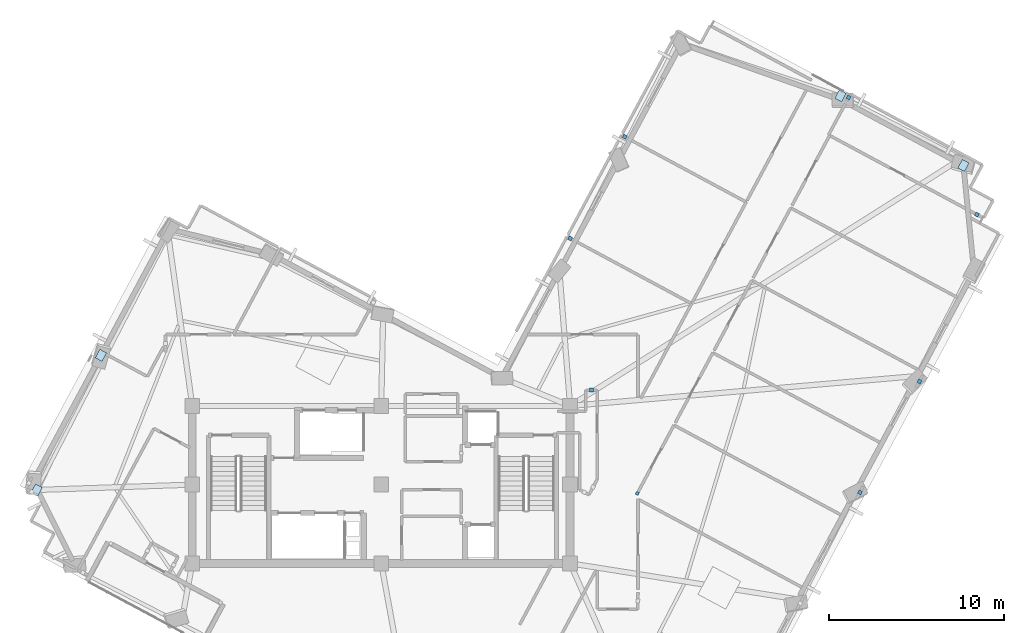
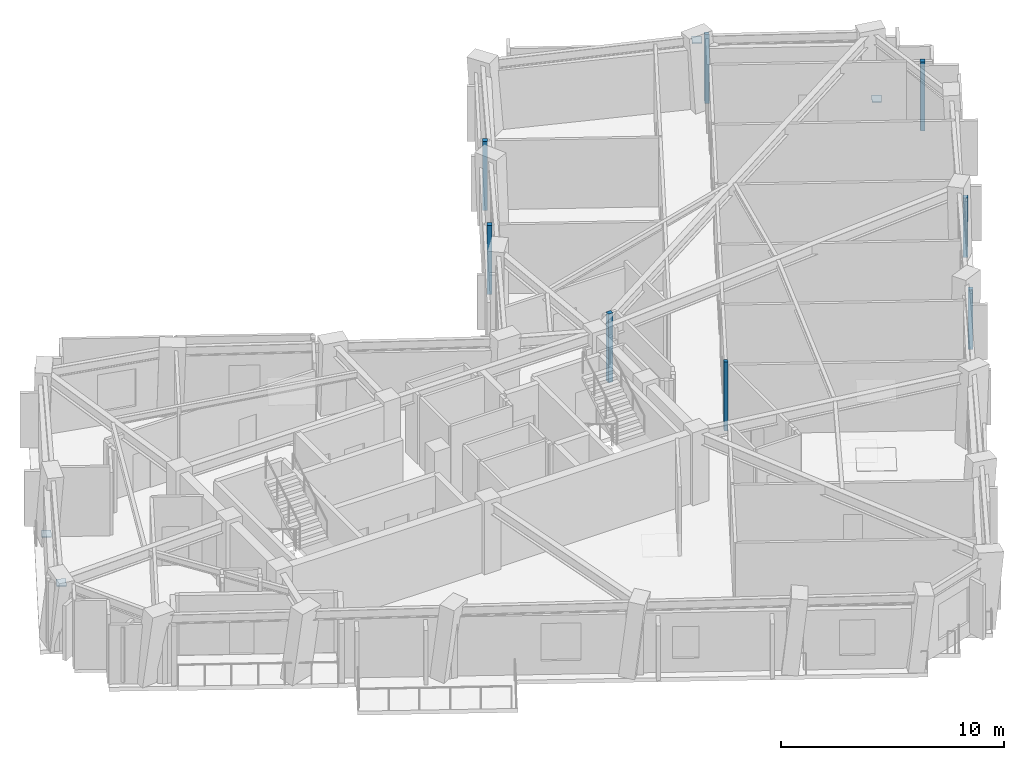
# One storey, part 5 of 14: 12 plates.
"""IFC4 building model written with IfcOpenShell, lengths in metres."""

from ifc_helpers import new_model, si_unit, direction, frame, origin, origin_2d, place, context, subcontext, project, spatial, rectangle, extrude, material, layer, layer_set, type_object, element, save


model = new_model("IFC4")

# Units and contexts
model_context = context("Model", 3, precision=1e-05, world=origin(), true_north=direction((0.0, 1.0)))
body_context = subcontext(model_context, "Body", "Model", "MODEL_VIEW")
ifc_project = project(units=[si_unit("LENGTHUNIT", "METRE"), si_unit("AREAUNIT", "SQUARE_METRE"), si_unit("VOLUMEUNIT", "CUBIC_METRE"), si_unit("PLANEANGLEUNIT", "RADIAN"), si_unit("MASSUNIT", "GRAM", prefix="KILO")], contexts=[model_context])

# Site, building, storey
site_placement = place(None, origin())
site = spatial("IfcSite", under=ifc_project, at=site_placement, CompositionType="ELEMENT")
building_placement = place(site_placement, origin())
building = spatial("IfcBuilding", under=site, at=building_placement, Name="Gaonmaruhae Medical Tower", CompositionType="ELEMENT")
storey_placement = place(building_placement, frame((0.0, 0.0, 288.60009765625)))
storey = spatial("IfcBuildingStorey", under=building, at=storey_placement, Name="L69", CompositionType="ELEMENT", Elevation=288.60009765625)

# Plates
ifc_material_1 = material(Name="Steel HSA650 (650 MPa)", Category="steel")
ifc_layer_1 = layer(ifc_material_1, 0.028076171875)
ifc_layer_set_1 = layer_set([ifc_layer_1], Name="Steel HSA650 (650 MPa)")
plate_type_1 = type_object("IfcPlateType", Name="GP-02 Tube Brace End Cap Gusset Plate", PredefinedType="USERDEFINED", material=ifc_layer_set_1)
for number, where, z_axis, x_axis, name in (
    (1, (58.08544921875, 30.544677734375, 0.23583984375), (0.0, 0.0, 1.0), (0.473319667185, 0.880890738205, 0.0), "L69 Gusset Cap Plate PLT-L69-PBR-E01A"),
    (2, (51.0556640625, 34.52734375, 3.515625), (0.0, 0.0, 1.0), (0.458649554484, 0.888617232655, 0.0), "L69 Gusset Cap Plate PLT-L69-PBR-E01B"),
    (3, (8.775146484375, 19.691650390625, 0.23583984375), (0.0, 0.0, 1.0), (0.473319667185, 0.880890738205, 0.0), "L69 Gusset Cap Plate PLT-L69-PBR-N02A"),
    (4, (5.102294921875, 11.994140625, 3.515625), (0.0, 0.0, 1.0), (0.458649554484, 0.888617232655, 0.0), "L69 Gusset Cap Plate PLT-L69-PBR-N02B"),
):
    element("IfcPlate", number, at=place(storey_placement, frame(where, z_axis=z_axis, x_axis=x_axis)), inside=storey, type_object=plate_type_1, Name=name, ObjectType="GUSSET_PLATE", PredefinedType="USERDEFINED", context=body_context, shape_type="SweptSolid", body=[
        extrude(rectangle(XDim=0.56005859375, YDim=0.43994140625, at=origin_2d()), origin(), (0.0, 0.0, 1.0), 0.028076171875),
    ])
ifc_material_2 = material(Name="Anodised aluminium 6063-T6", Category="aluminium")
ifc_layer_2 = layer(ifc_material_2, 0.011962890625)
ifc_layer_set_2 = layer_set([ifc_layer_2], Name="Anodised aluminium 6063-T6")
plate_type_2 = type_object("IfcPlateType", Name="PP-01 Interior Partition Corner Stiffener Plate", PredefinedType="SHEET", material=ifc_layer_set_2)
plate_placement = place(storey_placement, frame((39.442138671875, 11.798583984375, 0.0), z_axis=(0.0, 0.0, 1.0), x_axis=(0.473335041556, 0.880882477085, 0.0)))
element("IfcPlate", 5, at=plate_placement, inside=storey, type_object=plate_type_2, Name="L69 Partition End Jamb Post Plate PLT-L69-ENDP-PW027-0", PredefinedType="SHEET", context=body_context, shape_type="SweptSolid", body=[
    extrude(rectangle(XDim=0.179931640625, YDim=0.179931640625, at=origin_2d()), origin(), (0.0, 0.0, 1.0), 3.780029296875),
])
for number, where, z_axis, x_axis, name in (
    (6, (52.1650390625, 11.85546875, 0.0), (0.0, 0.0, 1.0), (-0.473719353975, -0.880675861864, 0.0), "L69 Partition Corner Stiffener Plate PLT-L69-JGP-PW030"),
    (7, (55.572021484375, 18.198486328125, 0.0), (0.0, 0.0, 1.0), (-0.472812232063, -0.88116320464, 0.0), "L69 Partition Corner Stiffener Plate PLT-L69-JGP-PW033"),
):
    element("IfcPlate", number, at=place(storey_placement, frame(where, z_axis=z_axis, x_axis=x_axis)), inside=storey, type_object=plate_type_2, Name=name, PredefinedType="SHEET", context=body_context, shape_type="SweptSolid", body=[
        extrude(rectangle(XDim=0.219970703125, YDim=0.219970703125, at=origin_2d()), origin(), (0.0, 0.0, 1.0), 3.264892578125),
    ])
for number, where, z_axis, x_axis, name in (
    (8, (58.8525390625, 27.737060546875, 0.0), (0.0, 0.0, 1.0), (0.880791587047, -0.473504150127, 0.0), "L69 Partition Corner Stiffener Plate PLT-L69-JGP-PW039"),
    (9, (36.824951171875, 17.699951171875, 0.0), (0.0, 0.0, 1.0), (1.0, 0.0, 0.0), "L69 Partition Corner Stiffener Plate PLT-L69-JGP-PW068"),
    (10, (35.60302734375, 26.3779296875, 0.0), (0.0, 0.0, 1.0), (0.881204461936, -0.472735334267, 0.0), "L69 Partition Corner Stiffener Plate PLT-L69-JGP-PW076"),
    (11, (38.722412109375, 32.18408203125, 0.0), (0.0, 0.0, 1.0), (0.880692397252, -0.473688612299, 0.0), "L69 Partition Corner Stiffener Plate PLT-L69-JGP-PW082"),
    (12, (51.525390625, 34.4345703125, 0.0), (0.0, 0.0, 1.0), (0.474103576204, 0.880469078975, 0.0), "L69 Partition Corner Stiffener Plate PLT-L69-JGP-PW105"),
):
    element("IfcPlate", number, at=place(storey_placement, frame(where, z_axis=z_axis, x_axis=x_axis)), inside=storey, type_object=plate_type_2, Name=name, PredefinedType="SHEET", context=body_context, shape_type="SweptSolid", body=[
        extrude(rectangle(XDim=0.219970703125, YDim=0.219970703125, at=origin_2d()), origin(), (0.0, 0.0, 1.0), 3.780029296875),
    ])

save(model, "model.ifc")
